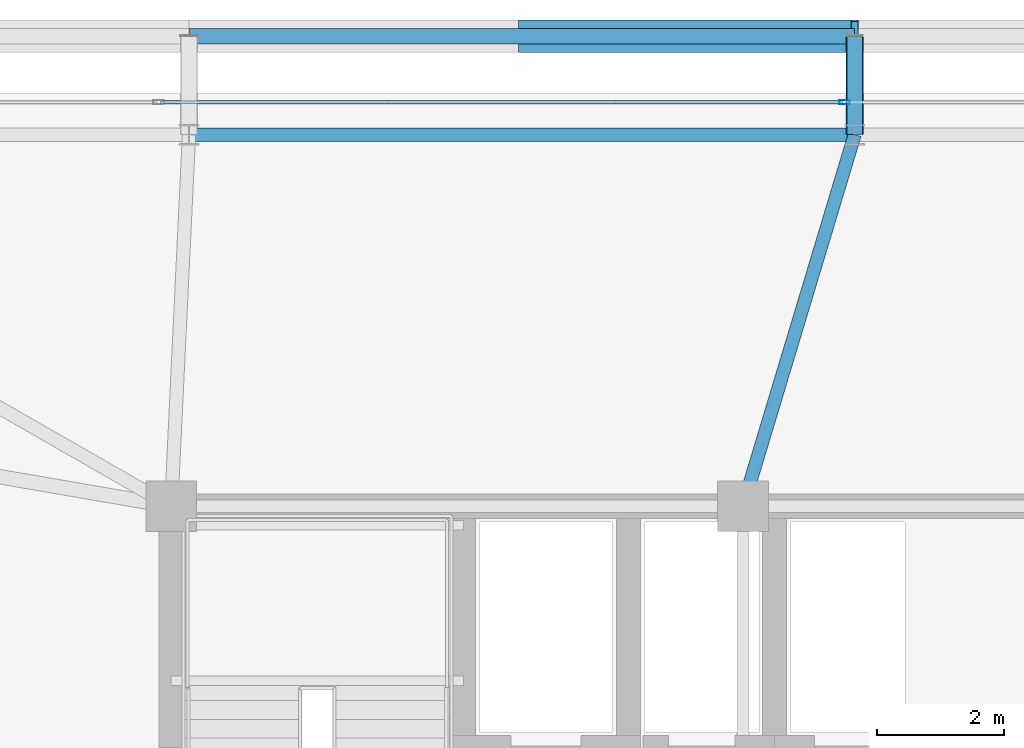
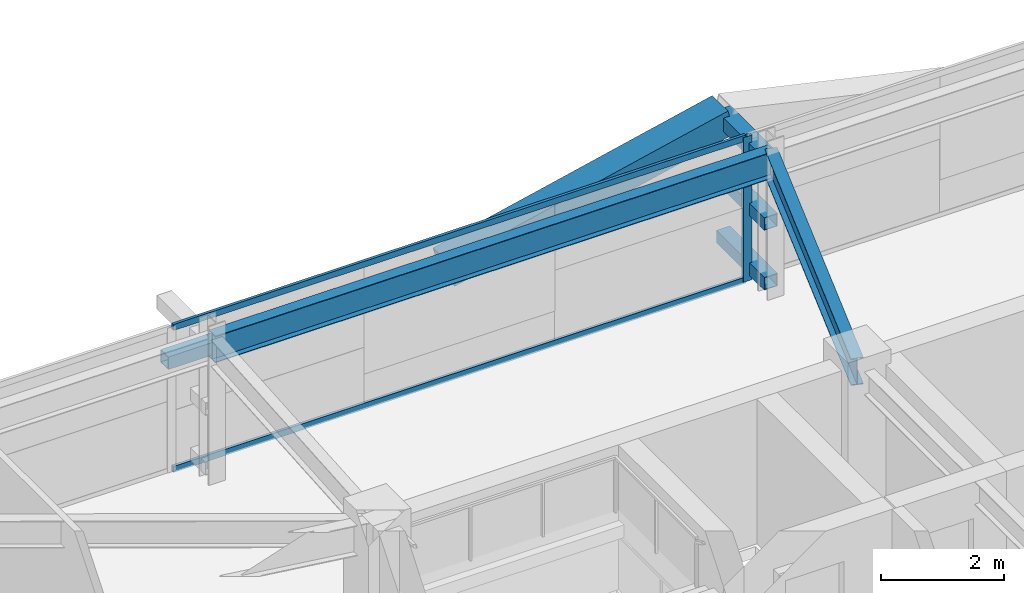
# One storey, part 24 of 45: 8 members, 2 beams, 1 element without a shape of its own.
"""IFC4 building model written with IfcOpenShell, lengths in metres."""

import ifcopenshell
import ifcopenshell.guid

model = None  # the IFC model being written
_history = None  # IfcOwnerHistory: only IFC2X3 demands one
_inside = {}  # id of a spatial element -> (the spatial element, [elements in it])
_under = {}  # id of a project, library or spatial element -> (it, [spatial elements below it])
_declared = {}  # id of a project -> (the project, [libraries it declares])
_typed = {}  # id of a type object -> (the type object, [elements of that type])
_made_of = {}  # id of a material, layer set ... -> (it, [elements and type objects made of it])


def new_model(schema):
    """Start an empty IFC model of exactly this schema.

    Asked for "IFC4X3", IfcOpenShell would pick the latest addendum, in which some entities
    have other attributes; the version numbers below select the first issue.
    IFC2X3 requires an IfcOwnerHistory on every rooted entity: one is made here for all.
    """
    global model, _history
    if schema == "IFC4X3":
        model = ifcopenshell.file(schema_version=(4, 3, 0, 0))
    else:
        model = ifcopenshell.file(schema=schema)
    _inside.clear()
    _under.clear()
    _declared.clear()
    _typed.clear()
    _made_of.clear()
    _history = None
    if model.schema == "IFC2X3":
        org = make("IfcOrganization", Name="unknown")
        user = make(
            "IfcPersonAndOrganization",
            ThePerson=make("IfcPerson", FamilyName="unknown"),
            TheOrganization=org,
        )
        app = make(
            "IfcApplication",
            ApplicationDeveloper=org,
            Version="unknown",
            ApplicationFullName="unknown",
            ApplicationIdentifier="unknown",
        )
        _history = make(
            "IfcOwnerHistory",
            OwningUser=user,
            OwningApplication=app,
            ChangeAction="ADDED",
            CreationDate=0,
        )
    return model


def make(cls, **values):
    """One entity of the class cls with the attributes given. An attribute that is None is left unset."""
    return model.create_entity(
        cls, **{name: value for name, value in values.items() if value is not None}
    )


def rooted(cls, **values):
    """An entity with a GlobalId (a new one), such as an element, a storey or a relation."""
    return make(cls, GlobalId=ifcopenshell.guid.new(), OwnerHistory=_history, **values)


def si_unit(unit_type, name, prefix=None):
    """IfcSIUnit, for example si_unit("LENGTHUNIT", "METRE", prefix="MILLI")."""
    return make("IfcSIUnit", UnitType=unit_type, Prefix=prefix, Name=name)


def assignment(units):
    """IfcUnitAssignment: the units of a project."""
    return None if units is None else make("IfcUnitAssignment", Units=units)


def point(xyz):
    """IfcCartesianPoint."""
    return None if xyz is None else make("IfcCartesianPoint", Coordinates=xyz)


def direction(xyz):
    """IfcDirection."""
    return None if xyz is None else make("IfcDirection", DirectionRatios=xyz)


def frame(location, z_axis=None, x_axis=None):
    """IfcAxis2Placement3D, a coordinate frame: its origin and axes. An axis left out is left unset."""
    return make(
        "IfcAxis2Placement3D",
        Location=point(location),
        Axis=direction(z_axis),
        RefDirection=direction(x_axis),
    )


def frame_2d(location, x_axis=None):
    """IfcAxis2Placement2D, a coordinate frame in the plane: its origin and x axis."""
    return make(
        "IfcAxis2Placement2D", Location=point(location), RefDirection=direction(x_axis)
    )


def origin():
    """The frame at (0, 0, 0) with its axes left unset."""
    return frame((0.0, 0.0, 0.0))


def origin_2d():
    """The frame at (0, 0) in the plane with its x axis left unset."""
    return frame_2d((0.0, 0.0))


def place(relative_to, where):
    """IfcLocalPlacement: puts the frame where relative to a parent placement (None: the world)."""
    return make(
        "IfcLocalPlacement", PlacementRelTo=relative_to, RelativePlacement=where
    )


def context(
    kind, dimensions, precision=None, world=None, true_north=None, identifier=None
):
    """IfcGeometricRepresentationContext, for example the 3D "Model" context."""
    return make(
        "IfcGeometricRepresentationContext",
        ContextIdentifier=identifier,
        ContextType=kind,
        CoordinateSpaceDimension=dimensions,
        Precision=precision,
        WorldCoordinateSystem=world,
        TrueNorth=true_north,
    )


def subcontext(parent, identifier, kind, view, scale=None):
    """IfcGeometricRepresentationSubContext, for example "Body" below "Model"."""
    return make(
        "IfcGeometricRepresentationSubContext",
        ContextIdentifier=identifier,
        ContextType=kind,
        ParentContext=parent,
        TargetScale=scale,
        TargetView=view,
    )


def project(units=None, contexts=None):
    """IfcProject with its units and contexts."""
    return rooted(
        "IfcProject",
        Name="project",
        RepresentationContexts=contexts,
        UnitsInContext=assignment(units),
    )


def spatial(cls, under=None, at=None, **own):
    """A site, building, storey or space (cls), placed at a placement, below another one or the project."""
    s = rooted(cls, ObjectPlacement=at, **own)
    if under is not None:
        _under.setdefault(under.id(), (under, []))[1].append(s)
    return s


def profile(cls, at=None, kind="AREA", **sizes):
    """A parametric profile (cls). Its sizes go by their IFC names, for example OverallWidth=200.0."""
    return make(cls, ProfileType=kind, Position=at, **sizes)


def hollow_rectangle(**sizes):
    """IfcRectangleHollowProfileDef."""
    return profile("IfcRectangleHollowProfileDef", **sizes)


def i_section(**sizes):
    """IfcIShapeProfileDef."""
    return profile("IfcIShapeProfileDef", **sizes)


def extrude(swept, where, along, depth):
    """IfcExtrudedAreaSolid: the profile swept, set in the frame where, extruded along a direction by depth."""
    return make(
        "IfcExtrudedAreaSolid",
        SweptArea=swept,
        Position=where,
        ExtrudedDirection=direction(along),
        Depth=depth,
    )


def shape(context_of_items, identifier, shape_type, items):
    """IfcShapeRepresentation: the items that make up one representation, for example the "Body"."""
    return make(
        "IfcShapeRepresentation",
        ContextOfItems=context_of_items,
        RepresentationIdentifier=identifier,
        RepresentationType=shape_type,
        Items=items,
    )


def source(mapping_origin, context_of_items, identifier, shape_type, items):
    """IfcRepresentationMap: a shape defined once, which mapped items show again and again."""
    return make(
        "IfcRepresentationMap",
        MappingOrigin=mapping_origin,
        MappedRepresentation=shape(context_of_items, identifier, shape_type, items),
    )


def transform(
    local_origin,
    x_axis=None,
    y_axis=None,
    z_axis=None,
    scale=None,
    scale2=None,
    scale3=None,
    uniform=True,
):
    """IfcCartesianTransformationOperator3D, or its non-uniform kind. x_axis, y_axis, z_axis: its Axis1, 2, 3."""
    if uniform:
        return make(
            "IfcCartesianTransformationOperator3D",
            Axis1=direction(x_axis),
            Axis2=direction(y_axis),
            LocalOrigin=point(local_origin),
            Scale=scale,
            Axis3=direction(z_axis),
        )
    return make(
        "IfcCartesianTransformationOperator3DnonUniform",
        Axis1=direction(x_axis),
        Axis2=direction(y_axis),
        LocalOrigin=point(local_origin),
        Scale=scale,
        Axis3=direction(z_axis),
        Scale2=scale2,
        Scale3=scale3,
    )


def mapped(mapping_source, mapping_target):
    """IfcMappedItem: shows the shape of a source again, moved by a transform."""
    return make(
        "IfcMappedItem", MappingSource=mapping_source, MappingTarget=mapping_target
    )


def material(Name=None, Category=None):
    """IfcMaterial."""
    return make("IfcMaterial", Name=Name, Category=Category)


def layer(
    of_material, thickness, ventilated=None, Name=None, Category=None, Priority=None
):
    """IfcMaterialLayer: one layer of a wall or slab, of a material (None: an air gap)."""
    return make(
        "IfcMaterialLayer",
        Material=of_material,
        LayerThickness=thickness,
        IsVentilated=ventilated,
        Name=Name,
        Category=Category,
        Priority=Priority,
    )


def layer_set(layers, Name=None):
    """IfcMaterialLayerSet."""
    return make("IfcMaterialLayerSet", MaterialLayers=layers, LayerSetName=Name)


def material_profile(
    of_material, cross_section, Name=None, Category=None, Priority=None
):
    """IfcMaterialProfile: a cross section and its material."""
    return make(
        "IfcMaterialProfile",
        Name=Name,
        Material=of_material,
        Profile=cross_section,
        Priority=Priority,
        Category=Category,
    )


def profile_set(profiles, Name=None, composite=None):
    """IfcMaterialProfileSet."""
    return make(
        "IfcMaterialProfileSet",
        Name=Name,
        MaterialProfiles=profiles,
        CompositeProfile=composite,
    )


def made_of(thing, what):
    """Note that an element or type object is made of a material, layer set ...; save() writes the relation."""
    if what is not None:
        _made_of.setdefault(what.id(), (what, []))[1].append(thing)
    return thing


def type_object(cls, material=None, **own):
    """A type object (cls), such as IfcWallType, which elements share."""
    return made_of(rooted(cls, **own), material)


def element(
    cls,
    number,
    at=None,
    inside=None,
    cuts=None,
    type_object=None,
    material=None,
    context=None,
    identifier="Body",
    shape_type=None,
    held_by="IfcProductDefinitionShape",
    body=None,
    shapes=None,
    **own,
):
    """One element of the class cls, such as IfcWall. Its Tag is "e" and its number.

    at: its placement. inside: the storey or other place that contains it. cuts: it is an
    opening in that element (IfcRelVoidsElement). A single representation is given by context,
    identifier, shape_type and body (its items); several are given by shapes. held_by: the class
    of the entity that holds the representations. save() writes the other relations.
    """
    e = rooted(cls, Tag="e%d" % number, ObjectPlacement=at, **own)
    if body is not None:
        shapes = [shape(context, identifier, shape_type, body)]
    if shapes is not None:
        e.Representation = make(held_by, Representations=shapes)
    if inside is not None:
        _inside.setdefault(inside.id(), (inside, []))[1].append(e)
    if cuts is not None:
        rooted(
            "IfcRelVoidsElement", RelatingBuildingElement=cuts, RelatedOpeningElement=e
        )
    if type_object is not None:
        _typed.setdefault(type_object.id(), (type_object, []))[1].append(e)
    return made_of(e, material)


def aggregate(whole, parts):
    """IfcRelAggregates: a whole, such as a stair, and the parts it consists of."""
    return rooted("IfcRelAggregates", RelatingObject=whole, RelatedObjects=parts)


def save(model, path):
    """Write the relations noted so far, then the file.

    IfcRelAggregates (storeys below a building ...), IfcRelContainedInSpatialStructure (elements
    in a storey), IfcRelDefinesByType, IfcRelAssociatesMaterial and IfcRelDeclares: one each for
    every whole, place, type object, material and project.
    """
    for whole, parts in _under.values():
        aggregate(whole, parts)
    for where, things in _inside.values():
        rooted(
            "IfcRelContainedInSpatialStructure",
            RelatedElements=things,
            RelatingStructure=where,
        )
    for kind, things in _typed.values():
        rooted("IfcRelDefinesByType", RelatedObjects=things, RelatingType=kind)
    for what, things in _made_of.values():
        rooted("IfcRelAssociatesMaterial", RelatedObjects=things, RelatingMaterial=what)
    for by, libraries in _declared.values():
        rooted("IfcRelDeclares", RelatingContext=by, RelatedDefinitions=libraries)
    model.write(path)


model = new_model("IFC4")

# Units and contexts
model_context = context("Model", 3, precision=1e-05, world=origin(), true_north=direction((0.0, 1.0)))
body_context = subcontext(model_context, "Body", "Model", "MODEL_VIEW")
ifc_project = project(units=[si_unit("LENGTHUNIT", "METRE"), si_unit("AREAUNIT", "SQUARE_METRE"), si_unit("VOLUMEUNIT", "CUBIC_METRE"), si_unit("PLANEANGLEUNIT", "RADIAN"), si_unit("MASSUNIT", "GRAM", prefix="KILO")], contexts=[model_context])

# Site, building, storey
site_placement = place(None, origin())
site = spatial("IfcSite", under=ifc_project, at=site_placement, CompositionType="ELEMENT")
building_placement = place(site_placement, origin())
building = spatial("IfcBuilding", under=site, at=building_placement, Name="Taldren Reach Tower", CompositionType="ELEMENT")
storey_placement = place(building_placement, frame((0.0, 0.0, 57.75)))
storey = spatial("IfcBuildingStorey", under=building, at=storey_placement, Name="L17", CompositionType="ELEMENT", Elevation=57.75)

# Beams
ifc_material_1 = material(Name="Steel Gr 350 (350PLUS)", Category="steel")
ifc_material_profile_1 = material_profile(ifc_material_1, i_section(OverallWidth=0.208984375, OverallDepth=0.528076171875, WebThickness=0.009521484375, FlangeThickness=0.01318359375, at=origin_2d()), Name="530UB82.0")
ifc_profile_set_1 = profile_set([ifc_material_profile_1], Name="Steel Gr 350 (350PLUS)")
beam_type_1 = type_object("IfcBeamType", Name="SP-UB530B", PredefinedType="SPANDREL", material=ifc_profile_set_1)
shared_shape_1 = source(origin(), body_context, "Body", "SweptSolid", [
    extrude(i_section(OverallWidth=0.208984375, OverallDepth=0.528076171875, WebThickness=0.009521484375, FlangeThickness=0.01318359375, at=origin_2d()), origin(), (0.0, 0.0, 1.0), 10.47998046875),
])
beam_1_placement = place(storey_placement, frame((29.760009765625, 37.85009765625, 2.60595703125), z_axis=(-1.0, 0.0, 0.0), x_axis=(0.0, -1.0, 0.0)))
element("IfcBeam", 1, at=beam_1_placement, inside=storey, type_object=beam_type_1, Name="Perimeter spandrel B1 N3-N2 L17", PredefinedType="SPANDREL", context=body_context, shape_type="MappedRepresentation", body=[
    mapped(shared_shape_1, transform((0.0, 0.0, 0.0), scale=1.0)),
])
ifc_material_profile_2 = material_profile(ifc_material_1, i_section(OverallWidth=0.208984375, OverallDepth=0.532958984375, WebThickness=0.01025390625, FlangeThickness=0.015625, at=origin_2d()), Name="530UB92.4")
ifc_profile_set_2 = profile_set([ifc_material_profile_2], Name="Steel Gr 350 (350PLUS)")
beam_type_2 = type_object("IfcBeamType", Name="BM-UB530A", PredefinedType="BEAM", material=ifc_profile_set_2)
shared_shape_2 = source(origin(), body_context, "Body", "SweptSolid", [
    extrude(i_section(OverallWidth=0.208984375, OverallDepth=0.532958984375, WebThickness=0.01025390625, FlangeThickness=0.015625, at=origin_2d()), origin(), (0.0, 0.0, 1.0), 6.109130859375),
])
beam_2_placement = place(storey_placement, frame((28.0, 32.0, 2.603515625), z_axis=(0.288095735745, 0.957601611864, 0.0), x_axis=(-0.957601611864, 0.288095735745, 0.0)))
element("IfcBeam", 2, at=beam_2_placement, inside=storey, type_object=beam_type_2, Name="Primary floor girder B1-N3 L17", PredefinedType="BEAM", context=body_context, shape_type="MappedRepresentation", body=[
    mapped(shared_shape_2, transform((0.0, 0.0, 0.0), scale=1.0)),
])

# Members
ifc_material_2 = material(Name="Steel Gr 450 (C450L0)", Category="steel")
ifc_material_profile_3 = material_profile(ifc_material_2, hollow_rectangle(XDim=0.27490234375, YDim=0.27490234375, WallThickness=0.00927734375, at=origin_2d()), Name="275x275x9.3SHS")
ifc_profile_set_3 = profile_set([ifc_material_profile_3], Name="Steel Gr 450 (C450L0)")
member_type_1 = type_object("IfcMemberType", Name="MB-TIE273", PredefinedType="STRUT", material=ifc_profile_set_3)
shared_shape_3 = source(origin(), body_context, "Body", "SweptSolid", [
    extrude(hollow_rectangle(XDim=0.27490234375, YDim=0.27490234375, WallThickness=0.00927734375, at=origin_2d()), origin(), (0.0, 0.0, 1.0), 1.5498046875),
])
member_1_placement = place(storey_placement, frame((29.760009765625, 37.85009765625, 2.590087890625), z_axis=(0.0, 1.0, 0.0), x_axis=(-1.0, 0.0, 0.0)))
element("IfcMember", 3, at=member_1_placement, inside=storey, type_object=member_type_1, Name="Exoskeleton diaphragm tie strut B1-N3 L17", PredefinedType="STRUT", context=body_context, shape_type="MappedRepresentation", body=[
    mapped(shared_shape_3, transform((0.0, 0.0, 0.0), scale=1.0)),
])
ifc_material_3 = material(Name="Steel Gr 350 (C350L0)", Category="steel")
ifc_material_profile_4 = material_profile(ifc_material_3, hollow_rectangle(XDim=0.25, YDim=0.25, WallThickness=0.010009765625, at=origin_2d()), Name="250x250x10.0SHS")
ifc_profile_set_4 = profile_set([ifc_material_profile_4], Name="Steel Gr 350 (C350L0)")
member_type_2 = type_object("IfcMemberType", Name="MB-POST250", PredefinedType="POST", material=ifc_profile_set_4)
shared_shape_4 = source(origin(), body_context, "Body", "SweptSolid", [
    extrude(hollow_rectangle(XDim=0.25, YDim=0.25, WallThickness=0.010009765625, at=origin_2d()), origin(), (0.0, 0.0, 1.0), 10.47998046875),
])
member_2_placement = place(storey_placement, frame((19.280029296875, 39.39990234375, 1.405029296875), z_axis=(1.0, 0.0, 0.0), x_axis=(0.0, 1.0, 0.0)))
element("IfcMember", 4, at=member_2_placement, inside=storey, type_object=member_type_2, Name="Exoskeleton mid-height ring chord B1-N2 L17", PredefinedType="POST", context=body_context, shape_type="MappedRepresentation", body=[
    mapped(shared_shape_4, transform((0.0, 0.0, 0.0), scale=1.0)),
])
shared_shape_5 = source(origin(), body_context, "Body", "SweptSolid", [
    extrude(hollow_rectangle(XDim=0.25, YDim=0.25, WallThickness=0.010009765625, at=origin_2d()), origin(), (0.0, 0.0, 1.0), 1.5498046875),
])
for number, where, z_axis, x_axis, name in (
    (5, (29.760009765625, 37.85009765625, 0.219970703125), (0.0, 1.0, 0.0), (-1.0, 0.0, 0.0), "Exoskeleton base diaphragm tie strut B1-N3 L17"),
    (6, (29.760009765625, 37.85009765625, 1.405029296875), (0.0, 1.0, 0.0), (-1.0, 0.0, 0.0), "Exoskeleton mid-tier diaphragm tie B1-N3 L17"),
):
    element("IfcMember", number, at=place(storey_placement, frame(where, z_axis=z_axis, x_axis=x_axis)), inside=storey, type_object=member_type_2, Name=name, PredefinedType="POST", context=body_context, shape_type="MappedRepresentation", body=[
        mapped(shared_shape_5, transform((0.0, 0.0, 0.0), scale=1.0)),
    ])
ifc_material_profile_5 = material_profile(ifc_material_2, hollow_rectangle(XDim=0.510009765625, YDim=0.510009765625, WallThickness=0.02001953125, at=origin_2d()), Name="510x510x20.0SHS")
ifc_profile_set_5 = profile_set([ifc_material_profile_5], Name="Steel Gr 450 (C450L0)")
member_type_3 = type_object("IfcMemberType", Name="MB-EXO508", PredefinedType="BRACE", material=ifc_profile_set_5)
shared_shape_6 = source(origin(), body_context, "Body", "SweptSolid", [
    extrude(hollow_rectangle(XDim=0.510009765625, YDim=0.510009765625, WallThickness=0.02001953125, at=origin_2d()), origin(), (0.0, 0.0, 1.0), 5.372314453125),
])
member_3_placement = place(storey_placement, frame((24.52001953125, 39.39990234375, 1.405029296875), z_axis=(0.975367562392, 0.0, 0.220585852297), x_axis=(0.0, 1.0, 0.0)))
element("IfcMember", 7, at=member_3_placement, inside=storey, type_object=member_type_3, Name="Exoskeleton Diagrid Brace B1-N2 L17", PredefinedType="BRACE", context=body_context, shape_type="MappedRepresentation", body=[
    mapped(shared_shape_6, transform((0.0, 0.0, 0.0), scale=1.0)),
])

# Curtain wall, members
ifc_material_4 = material(Name="Aluminium and Low-E Glass Unitised System", Category="aluminium")
ifc_layer = layer(ifc_material_4, 0.159912109375)
ifc_layer_set = layer_set([ifc_layer], Name="Aluminium and Low-E Glass Unitised System")
curtain_wall_type = type_object("IfcCurtainWallType", Name="CW-SYS-2", PredefinedType="NOTDEFINED", material=ifc_layer_set)
curtain_wall_placement = place(storey_placement, origin())
curtain_wall = element("IfcCurtainWall", 8, at=curtain_wall_placement, inside=storey, type_object=curtain_wall_type, Name="Unitised curtain wall CW-L17-N", PredefinedType="NOTDEFINED")
ifc_material_5 = material(Name="Anodised Aluminium 6063-T6", Category="aluminium")
ifc_material_profile_6 = material_profile(ifc_material_5, hollow_rectangle(XDim=0.054931640625, YDim=0.1201171875, WallThickness=0.0029296875, at=origin_2d()), Name="ALU-120x55x3RHS")
ifc_profile_set_6 = profile_set([ifc_material_profile_6], Name="Anodised Aluminium 6063-T6")
member_type_4 = type_object("IfcMemberType", Name="CW-TRN-135", PredefinedType="USERDEFINED", material=ifc_profile_set_6)
shared_shape_7 = source(origin(), body_context, "Body", "SweptSolid", [
    extrude(hollow_rectangle(XDim=0.054931640625, YDim=0.1201171875, WallThickness=0.0029296875, at=origin_2d()), origin(), (0.0, 0.0, 1.0), 10.73486328125),
])
member_4_placement = place(storey_placement, frame((29.5673828125, 38.360107421875, 0.027587890625), z_axis=(-1.0, 0.0, 0.0), x_axis=(0.0, -1.0, 0.0)))
member_4 = element("IfcMember", 9, at=member_4_placement, type_object=member_type_4, Name="CW-2 transom 4.1", ObjectType="TRANSOM", PredefinedType="USERDEFINED", context=body_context, shape_type="MappedRepresentation", body=[
    mapped(shared_shape_7, transform((0.0, 0.0, 0.0), scale=1.0)),
])
member_5_placement = place(storey_placement, frame((29.5673828125, 38.360107421875, 2.842529296875), z_axis=(-1.0, 0.0, 0.0), x_axis=(0.0, -1.0, 0.0)))
member_5 = element("IfcMember", 10, at=member_5_placement, type_object=member_type_4, Name="CW-2 transom 4.2", ObjectType="TRANSOM", PredefinedType="USERDEFINED", context=body_context, shape_type="MappedRepresentation", body=[
    mapped(shared_shape_7, transform((0.0, 0.0, 0.0), scale=1.0)),
])
ifc_material_profile_7 = material_profile(ifc_material_5, hollow_rectangle(XDim=0.06494140625, YDim=0.1650390625, WallThickness=0.00390625, at=origin_2d()), Name="ALU-165x65x4RHS")
ifc_profile_set_7 = profile_set([ifc_material_profile_7], Name="Anodised Aluminium 6063-T6")
member_type_5 = type_object("IfcMemberType", Name="CW-MUL-165", PredefinedType="MULLION", material=ifc_profile_set_7)
shared_shape_8 = source(origin(), body_context, "Body", "SweptSolid", [
    extrude(hollow_rectangle(XDim=0.06494140625, YDim=0.1650390625, WallThickness=0.00390625, at=origin_2d()), origin(), (0.0, 0.0, 1.0), 2.8701171875),
])
member_6_placement = place(storey_placement, frame((29.60009765625, 38.360107421875, 0.0), z_axis=(0.0, 0.0, 1.0), x_axis=(0.0, -1.0, 0.0)))
member_6 = element("IfcMember", 11, at=member_6_placement, type_object=member_type_5, Name="CW-2 mullion 4", PredefinedType="MULLION", context=body_context, shape_type="MappedRepresentation", body=[
    mapped(shared_shape_8, transform((0.0, 0.0, 0.0), scale=1.0)),
])
aggregate(curtain_wall, [member_6, member_4, member_5])

save(model, "model.ifc")
